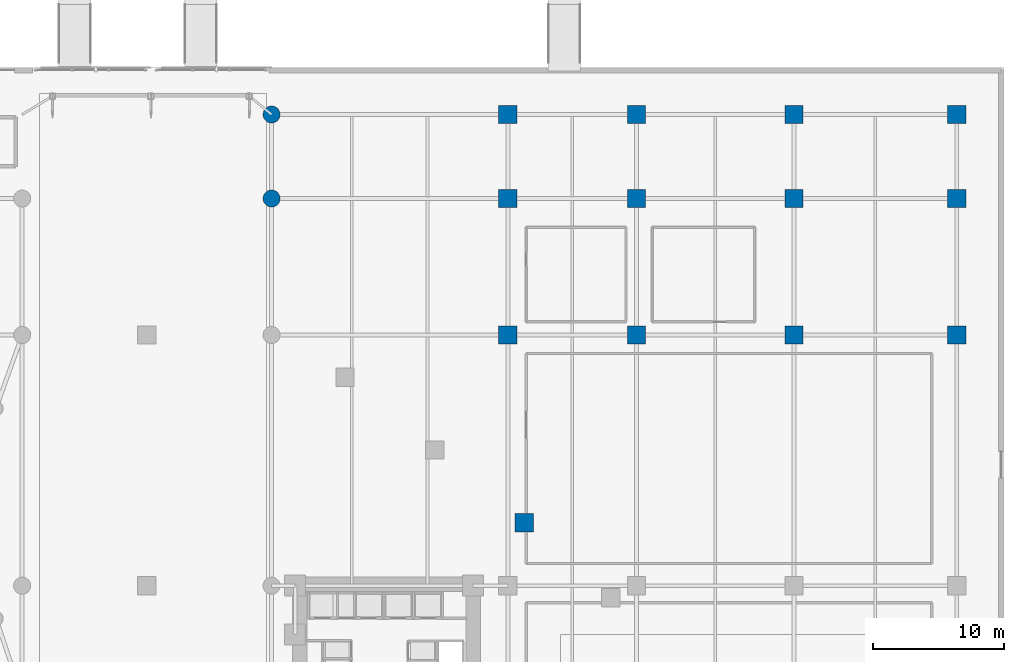
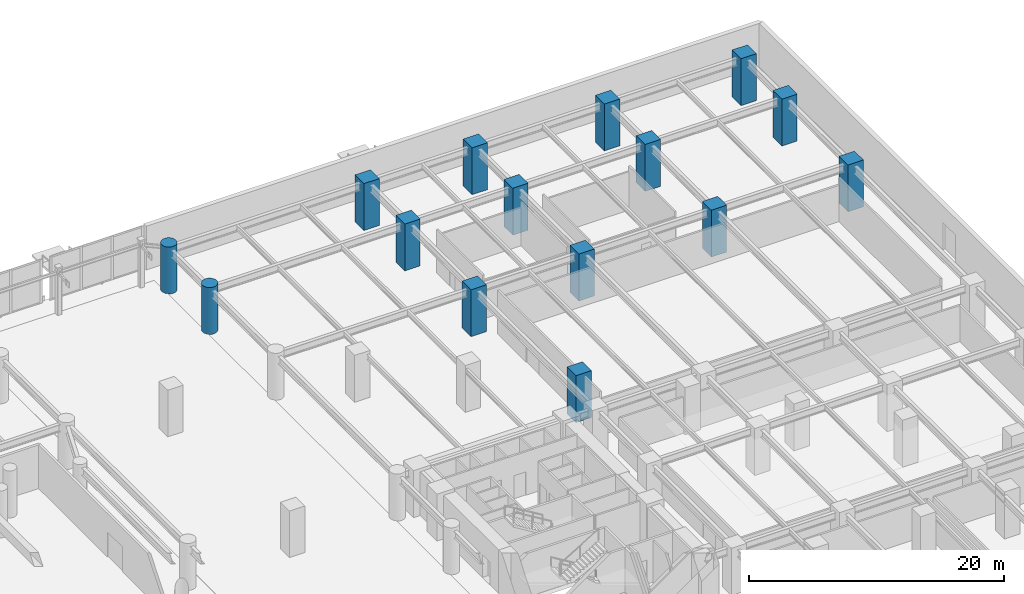
# One storey, part 9 of 42: 15 columns.
"""IFC4 building model written with IfcOpenShell, lengths in metres."""

import ifcopenshell
import ifcopenshell.guid

model = None  # the IFC model being written
_history = None  # IfcOwnerHistory: only IFC2X3 demands one
_inside = {}  # id of a spatial element -> (the spatial element, [elements in it])
_under = {}  # id of a project, library or spatial element -> (it, [spatial elements below it])
_declared = {}  # id of a project -> (the project, [libraries it declares])
_typed = {}  # id of a type object -> (the type object, [elements of that type])
_made_of = {}  # id of a material, layer set ... -> (it, [elements and type objects made of it])


def new_model(schema):
    """Start an empty IFC model of exactly this schema.

    Asked for "IFC4X3", IfcOpenShell would pick the latest addendum, in which some entities
    have other attributes; the version numbers below select the first issue.
    IFC2X3 requires an IfcOwnerHistory on every rooted entity: one is made here for all.
    """
    global model, _history
    if schema == "IFC4X3":
        model = ifcopenshell.file(schema_version=(4, 3, 0, 0))
    else:
        model = ifcopenshell.file(schema=schema)
    _inside.clear()
    _under.clear()
    _declared.clear()
    _typed.clear()
    _made_of.clear()
    _history = None
    if model.schema == "IFC2X3":
        org = make("IfcOrganization", Name="unknown")
        user = make(
            "IfcPersonAndOrganization",
            ThePerson=make("IfcPerson", FamilyName="unknown"),
            TheOrganization=org,
        )
        app = make(
            "IfcApplication",
            ApplicationDeveloper=org,
            Version="unknown",
            ApplicationFullName="unknown",
            ApplicationIdentifier="unknown",
        )
        _history = make(
            "IfcOwnerHistory",
            OwningUser=user,
            OwningApplication=app,
            ChangeAction="ADDED",
            CreationDate=0,
        )
    return model


def make(cls, **values):
    """One entity of the class cls with the attributes given. An attribute that is None is left unset."""
    return model.create_entity(
        cls, **{name: value for name, value in values.items() if value is not None}
    )


def rooted(cls, **values):
    """An entity with a GlobalId (a new one), such as an element, a storey or a relation."""
    return make(cls, GlobalId=ifcopenshell.guid.new(), OwnerHistory=_history, **values)


def si_unit(unit_type, name, prefix=None):
    """IfcSIUnit, for example si_unit("LENGTHUNIT", "METRE", prefix="MILLI")."""
    return make("IfcSIUnit", UnitType=unit_type, Prefix=prefix, Name=name)


def assignment(units):
    """IfcUnitAssignment: the units of a project."""
    return None if units is None else make("IfcUnitAssignment", Units=units)


def point(xyz):
    """IfcCartesianPoint."""
    return None if xyz is None else make("IfcCartesianPoint", Coordinates=xyz)


def direction(xyz):
    """IfcDirection."""
    return None if xyz is None else make("IfcDirection", DirectionRatios=xyz)


def frame(location, z_axis=None, x_axis=None):
    """IfcAxis2Placement3D, a coordinate frame: its origin and axes. An axis left out is left unset."""
    return make(
        "IfcAxis2Placement3D",
        Location=point(location),
        Axis=direction(z_axis),
        RefDirection=direction(x_axis),
    )


def frame_2d(location, x_axis=None):
    """IfcAxis2Placement2D, a coordinate frame in the plane: its origin and x axis."""
    return make(
        "IfcAxis2Placement2D", Location=point(location), RefDirection=direction(x_axis)
    )


def origin():
    """The frame at (0, 0, 0) with its axes left unset."""
    return frame((0.0, 0.0, 0.0))


def origin_2d():
    """The frame at (0, 0) in the plane with its x axis left unset."""
    return frame_2d((0.0, 0.0))


def place(relative_to, where):
    """IfcLocalPlacement: puts the frame where relative to a parent placement (None: the world)."""
    return make(
        "IfcLocalPlacement", PlacementRelTo=relative_to, RelativePlacement=where
    )


def context(
    kind, dimensions, precision=None, world=None, true_north=None, identifier=None
):
    """IfcGeometricRepresentationContext, for example the 3D "Model" context."""
    return make(
        "IfcGeometricRepresentationContext",
        ContextIdentifier=identifier,
        ContextType=kind,
        CoordinateSpaceDimension=dimensions,
        Precision=precision,
        WorldCoordinateSystem=world,
        TrueNorth=true_north,
    )


def subcontext(parent, identifier, kind, view, scale=None):
    """IfcGeometricRepresentationSubContext, for example "Body" below "Model"."""
    return make(
        "IfcGeometricRepresentationSubContext",
        ContextIdentifier=identifier,
        ContextType=kind,
        ParentContext=parent,
        TargetScale=scale,
        TargetView=view,
    )


def project(units=None, contexts=None):
    """IfcProject with its units and contexts."""
    return rooted(
        "IfcProject",
        Name="project",
        RepresentationContexts=contexts,
        UnitsInContext=assignment(units),
    )


def spatial(cls, under=None, at=None, **own):
    """A site, building, storey or space (cls), placed at a placement, below another one or the project."""
    s = rooted(cls, ObjectPlacement=at, **own)
    if under is not None:
        _under.setdefault(under.id(), (under, []))[1].append(s)
    return s


def profile(cls, at=None, kind="AREA", **sizes):
    """A parametric profile (cls). Its sizes go by their IFC names, for example OverallWidth=200.0."""
    return make(cls, ProfileType=kind, Position=at, **sizes)


def rectangle(**sizes):
    """IfcRectangleProfileDef."""
    return profile("IfcRectangleProfileDef", **sizes)


def circle(**sizes):
    """IfcCircleProfileDef."""
    return profile("IfcCircleProfileDef", **sizes)


def extrude(swept, where, along, depth):
    """IfcExtrudedAreaSolid: the profile swept, set in the frame where, extruded along a direction by depth."""
    return make(
        "IfcExtrudedAreaSolid",
        SweptArea=swept,
        Position=where,
        ExtrudedDirection=direction(along),
        Depth=depth,
    )


def shape(context_of_items, identifier, shape_type, items):
    """IfcShapeRepresentation: the items that make up one representation, for example the "Body"."""
    return make(
        "IfcShapeRepresentation",
        ContextOfItems=context_of_items,
        RepresentationIdentifier=identifier,
        RepresentationType=shape_type,
        Items=items,
    )


def material(Name=None, Category=None):
    """IfcMaterial."""
    return make("IfcMaterial", Name=Name, Category=Category)


def material_profile(
    of_material, cross_section, Name=None, Category=None, Priority=None
):
    """IfcMaterialProfile: a cross section and its material."""
    return make(
        "IfcMaterialProfile",
        Name=Name,
        Material=of_material,
        Profile=cross_section,
        Priority=Priority,
        Category=Category,
    )


def profile_set(profiles, Name=None, composite=None):
    """IfcMaterialProfileSet."""
    return make(
        "IfcMaterialProfileSet",
        Name=Name,
        MaterialProfiles=profiles,
        CompositeProfile=composite,
    )


def made_of(thing, what):
    """Note that an element or type object is made of a material, layer set ...; save() writes the relation."""
    if what is not None:
        _made_of.setdefault(what.id(), (what, []))[1].append(thing)
    return thing


def type_object(cls, material=None, **own):
    """A type object (cls), such as IfcWallType, which elements share."""
    return made_of(rooted(cls, **own), material)


def element(
    cls,
    number,
    at=None,
    inside=None,
    cuts=None,
    type_object=None,
    material=None,
    context=None,
    identifier="Body",
    shape_type=None,
    held_by="IfcProductDefinitionShape",
    body=None,
    shapes=None,
    **own,
):
    """One element of the class cls, such as IfcWall. Its Tag is "e" and its number.

    at: its placement. inside: the storey or other place that contains it. cuts: it is an
    opening in that element (IfcRelVoidsElement). A single representation is given by context,
    identifier, shape_type and body (its items); several are given by shapes. held_by: the class
    of the entity that holds the representations. save() writes the other relations.
    """
    e = rooted(cls, Tag="e%d" % number, ObjectPlacement=at, **own)
    if body is not None:
        shapes = [shape(context, identifier, shape_type, body)]
    if shapes is not None:
        e.Representation = make(held_by, Representations=shapes)
    if inside is not None:
        _inside.setdefault(inside.id(), (inside, []))[1].append(e)
    if cuts is not None:
        rooted(
            "IfcRelVoidsElement", RelatingBuildingElement=cuts, RelatedOpeningElement=e
        )
    if type_object is not None:
        _typed.setdefault(type_object.id(), (type_object, []))[1].append(e)
    return made_of(e, material)


def aggregate(whole, parts):
    """IfcRelAggregates: a whole, such as a stair, and the parts it consists of."""
    return rooted("IfcRelAggregates", RelatingObject=whole, RelatedObjects=parts)


def save(model, path):
    """Write the relations noted so far, then the file.

    IfcRelAggregates (storeys below a building ...), IfcRelContainedInSpatialStructure (elements
    in a storey), IfcRelDefinesByType, IfcRelAssociatesMaterial and IfcRelDeclares: one each for
    every whole, place, type object, material and project.
    """
    for whole, parts in _under.values():
        aggregate(whole, parts)
    for where, things in _inside.values():
        rooted(
            "IfcRelContainedInSpatialStructure",
            RelatedElements=things,
            RelatingStructure=where,
        )
    for kind, things in _typed.values():
        rooted("IfcRelDefinesByType", RelatedObjects=things, RelatingType=kind)
    for what, things in _made_of.values():
        rooted("IfcRelAssociatesMaterial", RelatedObjects=things, RelatingMaterial=what)
    for by, libraries in _declared.values():
        rooted("IfcRelDeclares", RelatingContext=by, RelatedDefinitions=libraries)
    model.write(path)


model = new_model("IFC4")

# Units and contexts
model_context = context("Model", 3, precision=1e-05, world=origin(), true_north=direction((0.0, 1.0)))
body_context = subcontext(model_context, "Body", "Model", "MODEL_VIEW")
ifc_project = project(units=[si_unit("LENGTHUNIT", "METRE"), si_unit("AREAUNIT", "SQUARE_METRE"), si_unit("VOLUMEUNIT", "CUBIC_METRE"), si_unit("PLANEANGLEUNIT", "RADIAN"), si_unit("MASSUNIT", "GRAM", prefix="KILO")], contexts=[model_context])

# Site, building, storey
site_placement = place(None, origin())
site = spatial("IfcSite", under=ifc_project, at=site_placement, CompositionType="ELEMENT")
building_placement = place(site_placement, origin())
building = spatial("IfcBuilding", under=site, at=building_placement, Name="Narakoshi Arena Tower", CompositionType="ELEMENT")
storey_placement = place(building_placement, origin())
storey = spatial("IfcBuildingStorey", under=building, at=storey_placement, Name="L00", CompositionType="ELEMENT", Elevation=0.0)

# Columns
ifc_material = material(Name="Concrete C60/75", Category="concrete")
ifc_material_profile_1 = material_profile(ifc_material, circle(Radius=0.64990234375, at=origin_2d()), Name="RCC1300")
ifc_profile_set_1 = profile_set([ifc_material_profile_1], Name="Concrete C60/75")
column_type_1 = type_object("IfcColumnType", Name="COL-CIR1300", PredefinedType="PILASTER", material=ifc_profile_set_1)
for number, where, z_axis, x_axis, name in (
    (1, (70.199951171875, 86.0, 0.0), (0.0, 0.0, 1.0), (1.0, 0.0, 0.0), "L00 Podium Column PC40"),
    (2, (70.199951171875, 92.39990234375, 0.0), (0.0, 0.0, 1.0), (1.0, 0.0, 0.0), "L00 Podium Column PC41"),
):
    element("IfcColumn", number, at=place(storey_placement, frame(where, z_axis=z_axis, x_axis=x_axis)), inside=storey, type_object=column_type_1, Name=name, PredefinedType="PILASTER", context=body_context, shape_type="SweptSolid", body=[
        extrude(circle(Radius=0.64990234375, at=origin_2d()), origin(), (0.0, 0.0, 1.0), 4.5),
    ])
ifc_material_profile_2 = material_profile(ifc_material, rectangle(XDim=1.39990234375, YDim=1.39990234375, at=origin_2d()), Name="RC1400x1400")
ifc_profile_set_2 = profile_set([ifc_material_profile_2], Name="Concrete C60/75")
column_type_2 = type_object("IfcColumnType", Name="COL-RC1400", PredefinedType="COLUMN", material=ifc_profile_set_2)
for number, where, z_axis, x_axis, name in (
    (3, (88.199951171875, 75.60009765625, 0.0), (0.0, 0.0, 1.0), (1.0, 0.0, 0.0), "L00 Podium Column PC48"),
    (4, (88.199951171875, 86.0, 0.0), (0.0, 0.0, 1.0), (1.0, 0.0, 0.0), "L00 Podium Column PC49"),
    (5, (88.199951171875, 92.39990234375, 0.0), (0.0, 0.0, 1.0), (1.0, 0.0, 0.0), "L00 Podium Column PC50"),
    (6, (98.0, 75.60009765625, 0.0), (0.0, 0.0, 1.0), (1.0, 0.0, 0.0), "L00 Podium Column PC57"),
    (7, (98.0, 86.0, 0.0), (0.0, 0.0, 1.0), (1.0, 0.0, 0.0), "L00 Podium Column PC58"),
    (8, (98.0, 92.39990234375, 0.0), (0.0, 0.0, 1.0), (1.0, 0.0, 0.0), "L00 Podium Column PC59"),
    (9, (110.0, 75.60009765625, 0.0), (0.0, 0.0, 1.0), (1.0, 0.0, 0.0), "L00 Podium Column PC66"),
    (10, (110.0, 86.0, 0.0), (0.0, 0.0, 1.0), (1.0, 0.0, 0.0), "L00 Podium Column PC67"),
    (11, (110.0, 92.39990234375, 0.0), (0.0, 0.0, 1.0), (1.0, 0.0, 0.0), "L00 Podium Column PC68"),
    (12, (122.39990234375, 75.60009765625, 0.0), (0.0, 0.0, 1.0), (1.0, 0.0, 0.0), "L00 Podium Column PC75"),
    (13, (122.39990234375, 86.0, 0.0), (0.0, 0.0, 1.0), (1.0, 0.0, 0.0), "L00 Podium Column PC76"),
    (14, (122.39990234375, 92.39990234375, 0.0), (0.0, 0.0, 1.0), (1.0, 0.0, 0.0), "L00 Podium Column PC77"),
    (15, (89.459716796875, 61.28515625, 0.0), (0.0, 0.0, 1.0), (1.0, 0.0, 0.0), "L00 Tower Plumb Pier B1P09"),
):
    element("IfcColumn", number, at=place(storey_placement, frame(where, z_axis=z_axis, x_axis=x_axis)), inside=storey, type_object=column_type_2, Name=name, PredefinedType="COLUMN", context=body_context, shape_type="SweptSolid", body=[
        extrude(rectangle(XDim=1.39990234375, YDim=1.39990234375, at=origin_2d()), origin(), (0.0, 0.0, 1.0), 4.5),
    ])

save(model, "model.ifc")
